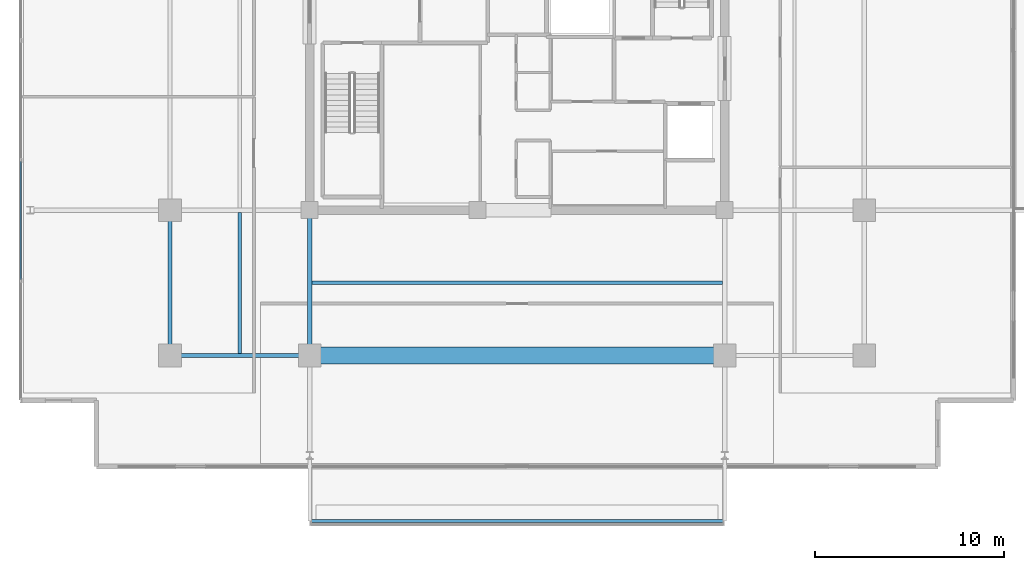
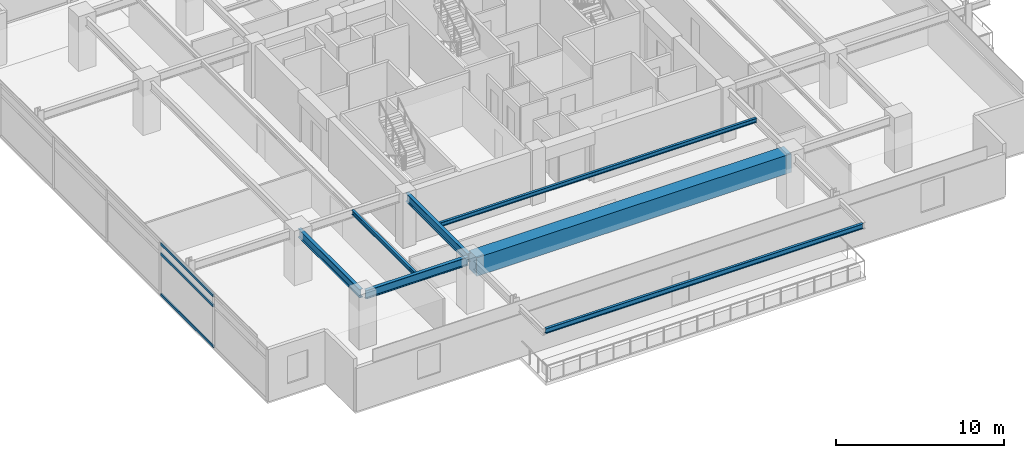
# One storey, part 3 of 21: 7 beams, 3 members, 1 element without a shape of its own.
"""IFC4 building model written with IfcOpenShell, lengths in metres."""

from ifc_helpers import new_model, si_unit, direction, frame, origin, origin_2d, place, context, subcontext, project, spatial, rectangle, hollow_rectangle, i_section, extrude, material, material_profile, profile_set, type_object, element, aggregate, save


model = new_model("IFC4")

# Units and contexts
model_context = context("Model", 3, precision=1e-05, world=origin(), true_north=direction((0.0, 1.0)))
body_context = subcontext(model_context, "Body", "Model", "MODEL_VIEW")
ifc_project = project(units=[si_unit("LENGTHUNIT", "METRE"), si_unit("AREAUNIT", "SQUARE_METRE"), si_unit("VOLUMEUNIT", "CUBIC_METRE"), si_unit("PLANEANGLEUNIT", "RADIAN"), si_unit("MASSUNIT", "GRAM", prefix="KILO")], contexts=[model_context])

# Site, building, storey
site_placement = place(None, origin())
site = spatial("IfcSite", under=ifc_project, at=site_placement, CompositionType="ELEMENT")
building_placement = place(site_placement, origin())
building = spatial("IfcBuilding", under=site, at=building_placement, Name="Kovane Verandah Tower", CompositionType="ELEMENT")
storey_placement = place(building_placement, frame((0.0, 0.0, 263.199951171875)))
storey = spatial("IfcBuildingStorey", under=building, at=storey_placement, Name="L61", CompositionType="ELEMENT", Elevation=263.199951171875)

# Beams
ifc_material_1 = material(Name="Concrete C80/95", Category="concrete")
ifc_material_profile_1 = material_profile(ifc_material_1, rectangle(XDim=0.89990234375, YDim=1.35009765625, at=origin_2d()), Name="RCB900x1350")
ifc_profile_set_1 = profile_set([ifc_material_profile_1], Name="Concrete C80/95")
beam_type_1 = type_object("IfcBeamType", Name="BM-TR-900x1350", PredefinedType="BEAM", material=ifc_profile_set_1)
beam_1_placement = place(storey_placement, frame((29.179931640625, 10.800048828125, 3.110107421875), z_axis=(1.0, 0.0, 0.0), x_axis=(0.0, 1.0, 0.0)))
element("IfcBeam", 1, at=beam_1_placement, inside=storey, type_object=beam_type_1, Name="L61 Primary Tower Girder G-RS2", PredefinedType="BEAM", context=body_context, shape_type="SweptSolid", body=[
    extrude(rectangle(XDim=0.89990234375, YDim=1.35009765625, at=origin_2d()), origin(), (0.0, 0.0, 1.0), 21.64013671875),
])
ifc_material_2 = material(Name="Steel S355", Category="steel")
ifc_material_profile_2 = material_profile(ifc_material_2, i_section(OverallWidth=0.230224609375, OverallDepth=0.6171875, WebThickness=0.01318359375, FlangeThickness=0.022216796875, FilletRadius=0.0126953125, at=origin_2d()), Name="UB610x229x140")
ifc_profile_set_2 = profile_set([ifc_material_profile_2], Name="Steel S355")
beam_type_2 = type_object("IfcBeamType", Name="BM-UB610x140", PredefinedType="BEAM", material=ifc_profile_set_2)
beam_2_placement = place(storey_placement, frame((21.780029296875, 10.800048828125, 3.4765625), z_axis=(1.0, 0.0, 0.0), x_axis=(0.0, 1.0, 0.0)))
element("IfcBeam", 2, at=beam_2_placement, inside=storey, type_object=beam_type_2, Name="L61 Primary Tower Girder G-RS1", PredefinedType="BEAM", context=body_context, shape_type="SweptSolid", body=[
    extrude(i_section(OverallWidth=0.230224609375, OverallDepth=0.6171875, WebThickness=0.01318359375, FlangeThickness=0.022216796875, FilletRadius=0.0126953125, at=origin_2d()), origin(), (0.0, 0.0, 1.0), 7.0400390625),
])
for number, where, z_axis, x_axis, name in (
    (3, (21.60009765625, 10.97998046875, 3.4765625), (0.0, 1.0, 0.0), (-1.0, 0.0, 0.0), "L61 Primary Tower Girder G-RW1"),
    (4, (29.0, 18.320068359375, 3.4765625), (0.0, -1.0, 0.0), (1.0, 0.0, 0.0), "L61 Primary Tower Girder G-S1"),
):
    element("IfcBeam", number, at=place(storey_placement, frame(where, z_axis=z_axis, x_axis=x_axis)), inside=storey, type_object=beam_type_2, Name=name, PredefinedType="BEAM", context=body_context, shape_type="SweptSolid", body=[
        extrude(i_section(OverallWidth=0.230224609375, OverallDepth=0.6171875, WebThickness=0.01318359375, FlangeThickness=0.022216796875, FilletRadius=0.0126953125, at=origin_2d()), origin(), (0.0, 0.0, 1.0), 7.340087890625),
    ])

# Curtain wall, members
ifc_material_3 = material(Name="Champagne Anodised Aluminium Frame with Low-E Clear Laminated Glass", Category="aluminium")
curtain_wall_type = type_object("IfcCurtainWallType", Name="CW-SYS-05-HIGH", PredefinedType="NOTDEFINED", material=ifc_material_3)
curtain_wall_placement = place(storey_placement, origin())
curtain_wall = element("IfcCurtainWall", 5, at=curtain_wall_placement, inside=storey, type_object=curtain_wall_type, Name="L61 W Unitised Curtain Wall", PredefinedType="NOTDEFINED")
ifc_material_4 = material(Name="Champagne Anodised Aluminium 6063-T6", Category="aluminium")
ifc_material_profile_3 = material_profile(ifc_material_4, hollow_rectangle(XDim=0.0849609375, YDim=0.18994140625, WallThickness=0.00390625, at=origin_2d()), Name="AL85x190x4")
ifc_profile_set_3 = profile_set([ifc_material_profile_3], Name="Champagne Anodised Aluminium 6063-T6")
member_type = type_object("IfcMemberType", Name="CW-TRN-85x190", PredefinedType="USERDEFINED", material=ifc_profile_set_3)
member_1_placement = place(storey_placement, frame((13.6923828125, 21.090087890625, 0.050048828125), z_axis=(0.0, -1.0, 0.0), x_axis=(1.0, 0.0, 0.0)))
member_1 = element("IfcMember", 6, at=member_1_placement, type_object=member_type, Name="L61 W Unitised Curtain Wall Transom TB Bay 5", ObjectType="TRANSOM", PredefinedType="USERDEFINED", context=body_context, shape_type="SweptSolid", body=[
    extrude(hollow_rectangle(XDim=0.0849609375, YDim=0.18994140625, WallThickness=0.00390625, at=origin_2d()), origin(), (0.0, 0.0, 1.0), 6.260009765625),
])
member_2_placement = place(storey_placement, frame((13.6923828125, 21.090087890625, 3.005126953125), z_axis=(0.0, -1.0, 0.0), x_axis=(1.0, 0.0, 0.0)))
member_2 = element("IfcMember", 7, at=member_2_placement, type_object=member_type, Name="L61 W Unitised Curtain Wall Transom TM Bay 5", ObjectType="TRANSOM", PredefinedType="USERDEFINED", context=body_context, shape_type="SweptSolid", body=[
    extrude(hollow_rectangle(XDim=0.0849609375, YDim=0.18994140625, WallThickness=0.00390625, at=origin_2d()), origin(), (0.0, 0.0, 1.0), 6.260009765625),
])
member_3_placement = place(storey_placement, frame((13.6923828125, 21.090087890625, 3.735107421875), z_axis=(0.0, -1.0, 0.0), x_axis=(1.0, 0.0, 0.0)))
member_3 = element("IfcMember", 8, at=member_3_placement, type_object=member_type, Name="L61 W Unitised Curtain Wall Transom TT Bay 5", ObjectType="TRANSOM", PredefinedType="USERDEFINED", context=body_context, shape_type="SweptSolid", body=[
    extrude(hollow_rectangle(XDim=0.0849609375, YDim=0.18994140625, WallThickness=0.00390625, at=origin_2d()), origin(), (0.0, 0.0, 1.0), 6.260009765625),
])
aggregate(curtain_wall, [member_1, member_2, member_3])

# Beams
ifc_material_profile_4 = material_profile(ifc_material_2, i_section(OverallWidth=0.1669921875, OverallDepth=0.310302734375, WebThickness=0.0078125, FlangeThickness=0.013671875, FilletRadius=0.0087890625, at=origin_2d()), Name="UB305x165x54")
ifc_profile_set_4 = profile_set([ifc_material_profile_4], Name="Steel S355")
beam_type_3 = type_object("IfcBeamType", Name="JST-UB305x54", PredefinedType="JOIST", material=ifc_profile_set_4)
beam_3_placement = place(storey_placement, frame((29.113037109375, 14.64990234375, 3.6298828125), z_axis=(1.0, 0.0, 0.0), x_axis=(0.0, 1.0, 0.0)))
element("IfcBeam", 9, at=beam_3_placement, inside=storey, type_object=beam_type_3, Name="L61 Secondary Composite Joist J-S1", PredefinedType="JOIST", context=body_context, shape_type="SweptSolid", body=[
    extrude(i_section(OverallWidth=0.1669921875, OverallDepth=0.310302734375, WebThickness=0.0078125, FlangeThickness=0.013671875, FilletRadius=0.0087890625, at=origin_2d()), origin(), (0.0, 0.0, 1.0), 21.77392578125),
])
beam_4_placement = place(storey_placement, frame((25.300048828125, 10.9130859375, 3.6298828125), z_axis=(0.0, 1.0, 0.0), x_axis=(-1.0, 0.0, 0.0)))
element("IfcBeam", 10, at=beam_4_placement, inside=storey, type_object=beam_type_3, Name="L61 Secondary Composite Joist J-SW1", PredefinedType="JOIST", context=body_context, shape_type="SweptSolid", body=[
    extrude(i_section(OverallWidth=0.1669921875, OverallDepth=0.310302734375, WebThickness=0.0078125, FlangeThickness=0.013671875, FilletRadius=0.0087890625, at=origin_2d()), origin(), (0.0, 0.0, 1.0), 7.473876953125),
])
ifc_material_profile_5 = material_profile(ifc_material_2, i_section(OverallWidth=0.173095703125, OverallDepth=0.36328125, WebThickness=0.009033203125, FlangeThickness=0.015625, FilletRadius=0.01025390625, at=origin_2d()), Name="UB356x171x67")
ifc_profile_set_5 = profile_set([ifc_material_profile_5], Name="Steel S355")
beam_type_4 = type_object("IfcBeamType", Name="SPD-UB356x67", PredefinedType="USERDEFINED", material=ifc_profile_set_5)
beam_5_placement = place(storey_placement, frame((29.094482421875, 2.026611328125, 3.578369140625), z_axis=(1.0, 0.0, 0.0), x_axis=(0.0, 1.0, 0.0)))
element("IfcBeam", 11, at=beam_5_placement, inside=storey, type_object=beam_type_4, Name="L61 South Planter Edge Spandrel", ObjectType="SPANDREL", PredefinedType="USERDEFINED", context=body_context, shape_type="SweptSolid", body=[
    extrude(i_section(OverallWidth=0.173095703125, OverallDepth=0.36328125, WebThickness=0.009033203125, FlangeThickness=0.015625, FilletRadius=0.01025390625, at=origin_2d()), origin(), (0.0, 0.0, 1.0), 21.81103515625),
])

save(model, "model.ifc")
